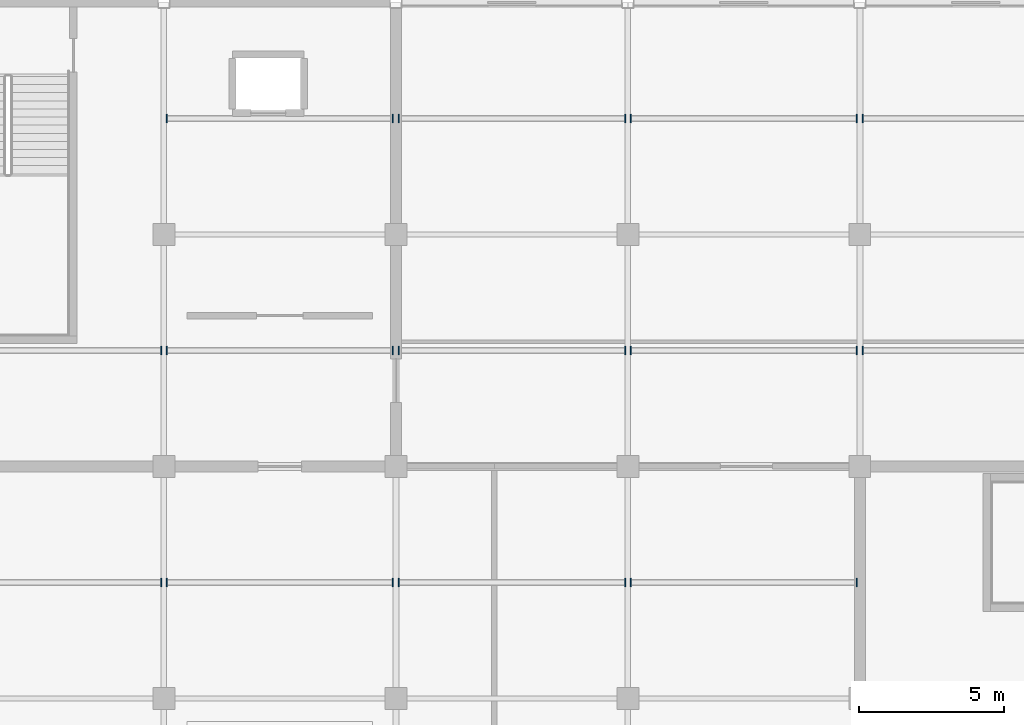
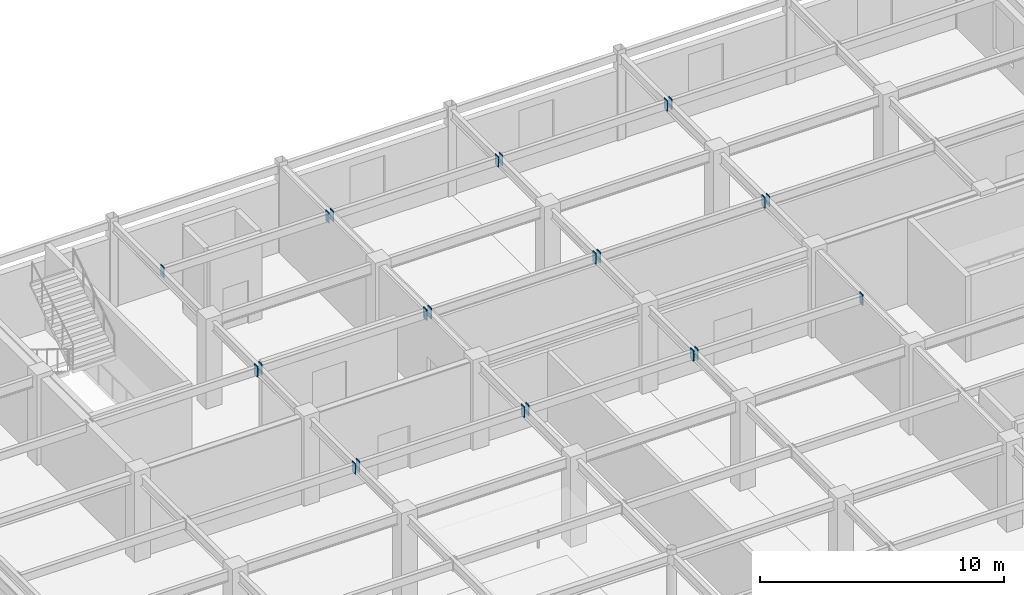
# One storey, part 79 of 93: 22 discrete accessories.
"""IFC4 building model written with IfcOpenShell, lengths in metres."""

from ifc_helpers import new_model, si_unit, direction, frame, origin, origin_2d, place, context, subcontext, project, spatial, rectangle, extrude, material, layer, layer_set, type_object, element, save


model = new_model("IFC4")

# Units and contexts
model_context = context("Model", 3, precision=1e-05, world=origin(), true_north=direction((0.0, 1.0)))
body_context = subcontext(model_context, "Body", "Model", "MODEL_VIEW")
ifc_project = project(units=[si_unit("LENGTHUNIT", "METRE"), si_unit("AREAUNIT", "SQUARE_METRE"), si_unit("VOLUMEUNIT", "CUBIC_METRE"), si_unit("PLANEANGLEUNIT", "RADIAN"), si_unit("MASSUNIT", "GRAM", prefix="KILO")], contexts=[model_context])

# Site, building, storey
site_placement = place(None, origin())
site = spatial("IfcSite", under=ifc_project, at=site_placement, CompositionType="ELEMENT")
building_placement = place(site_placement, origin())
building = spatial("IfcBuilding", under=site, at=building_placement, Name="Solmirada Galleria", CompositionType="ELEMENT")
storey_placement = place(building_placement, frame((0.0, 0.0, 14.89990234375)))
storey = spatial("IfcBuildingStorey", under=building, at=storey_placement, Name="L03", CompositionType="ELEMENT", Elevation=14.89990234375)

# Discrete accessories
ifc_material = material(Name="Steel S355 / ASTM A572 Grade 50", Category="steel")
ifc_layer = layer(ifc_material, 0.031982421875)
ifc_layer_set = layer_set([ifc_layer], Name="Steel S355 / ASTM A572 Grade 50")
discrete_accessory_type = type_object("IfcDiscreteAccessoryType", Name="ACC-COL-CAP", PredefinedType="BRACKET", material=ifc_layer_set)
for number, where, z_axis, x_axis, name in (
    (1, (135.903076171875, 100.0, 3.787109375), (0.0, 0.0, 1.0), (1.0, 0.0, 0.0), "Hollow joist end plate L04-17-13-R"),
    (2, (135.903076171875, 108.0, 3.787109375), (0.0, 0.0, 1.0), (1.0, 0.0, 0.0), "Hollow joist end plate L04-17-14-R"),
    (3, (136.096923828125, 100.0, 3.8271484375), (0.0, 0.0, 1.0), (1.0, 0.0, 0.0), "Hollow joist end plate L04-18-13-L"),
    (4, (143.89501953125, 100.0, 3.8271484375), (0.0, 0.0, 1.0), (1.0, 0.0, 0.0), "Hollow joist end plate L04-18-13-R"),
    (5, (136.096923828125, 108.0, 3.8271484375), (0.0, 0.0, 1.0), (1.0, 0.0, 0.0), "Hollow joist end plate L04-18-14-L"),
    (6, (143.89501953125, 108.0, 3.8271484375), (0.0, 0.0, 1.0), (1.0, 0.0, 0.0), "Hollow joist end plate L04-18-14-R"),
    (7, (136.096923828125, 116.0, 3.8271484375), (0.0, 0.0, 1.0), (1.0, 0.0, 0.0), "Hollow joist end plate L04-18-15-L"),
    (8, (143.89501953125, 116.0, 3.8271484375), (0.0, 0.0, 1.0), (1.0, 0.0, 0.0), "Hollow joist end plate L04-18-15-R"),
    (9, (144.10498046875, 100.0, 3.8271484375), (0.0, 0.0, 1.0), (1.0, 0.0, 0.0), "Hollow joist end plate L04-19-13-L"),
    (10, (151.903076171875, 100.0, 3.8271484375), (0.0, 0.0, 1.0), (1.0, 0.0, 0.0), "Hollow joist end plate L04-19-13-R"),
    (11, (144.10498046875, 108.0, 3.8271484375), (0.0, 0.0, 1.0), (1.0, 0.0, 0.0), "Hollow joist end plate L04-19-14-L"),
    (12, (151.903076171875, 108.0, 3.8271484375), (0.0, 0.0, 1.0), (1.0, 0.0, 0.0), "Hollow joist end plate L04-19-14-R"),
    (13, (144.10498046875, 116.0, 3.8271484375), (0.0, 0.0, 1.0), (1.0, 0.0, 0.0), "Hollow joist end plate L04-19-15-L"),
    (14, (151.903076171875, 116.0, 3.8271484375), (0.0, 0.0, 1.0), (1.0, 0.0, 0.0), "Hollow joist end plate L04-19-15-R"),
    (15, (152.096923828125, 100.0, 3.8271484375), (0.0, 0.0, 1.0), (1.0, 0.0, 0.0), "Hollow joist end plate L04-20-13-L"),
    (16, (159.89501953125, 100.0, 3.8271484375), (0.0, 0.0, 1.0), (1.0, 0.0, 0.0), "Hollow joist end plate L04-20-13-R"),
    (17, (152.096923828125, 108.0, 3.8271484375), (0.0, 0.0, 1.0), (1.0, 0.0, 0.0), "Hollow joist end plate L04-20-14-L"),
    (18, (159.89501953125, 108.0, 3.8271484375), (0.0, 0.0, 1.0), (1.0, 0.0, 0.0), "Hollow joist end plate L04-20-14-R"),
    (19, (152.096923828125, 116.0, 3.8271484375), (0.0, 0.0, 1.0), (1.0, 0.0, 0.0), "Hollow joist end plate L04-20-15-L"),
    (20, (159.89501953125, 116.0, 3.8271484375), (0.0, 0.0, 1.0), (1.0, 0.0, 0.0), "Hollow joist end plate L04-20-15-R"),
    (21, (160.10498046875, 108.0, 3.8271484375), (0.0, 0.0, 1.0), (1.0, 0.0, 0.0), "Hollow joist end plate L04-21-14-L"),
    (22, (160.10498046875, 116.0, 3.8271484375), (0.0, 0.0, 1.0), (1.0, 0.0, 0.0), "Hollow joist end plate L04-21-15-L"),
):
    element("IfcDiscreteAccessory", number, at=place(storey_placement, frame(where, z_axis=z_axis, x_axis=x_axis)), inside=storey, type_object=discrete_accessory_type, Name=name, PredefinedType="BRACKET", context=body_context, shape_type="SweptSolid", body=[
        extrude(rectangle(XDim=0.035888671875, YDim=0.280029296875, at=origin_2d()), origin(), (0.0, 0.0, 1.0), 0.5400390625),
    ])

save(model, "model.ifc")
